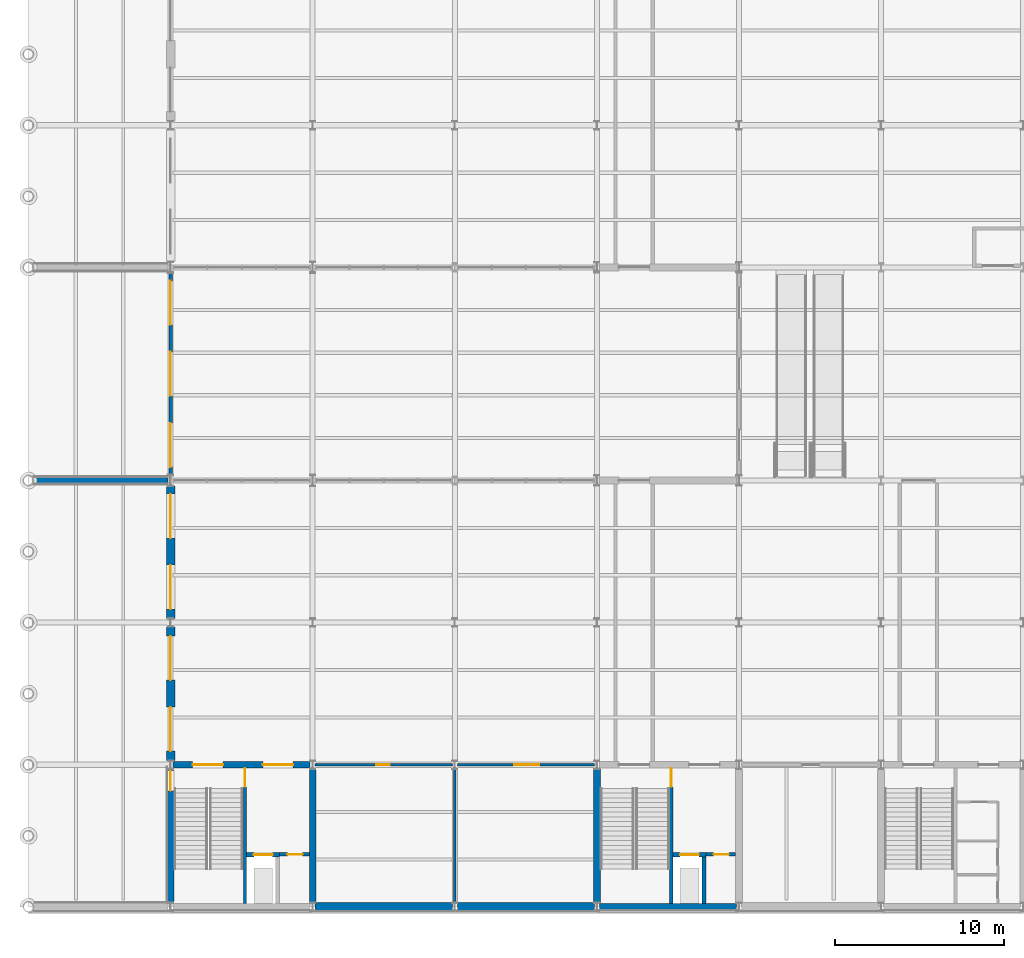
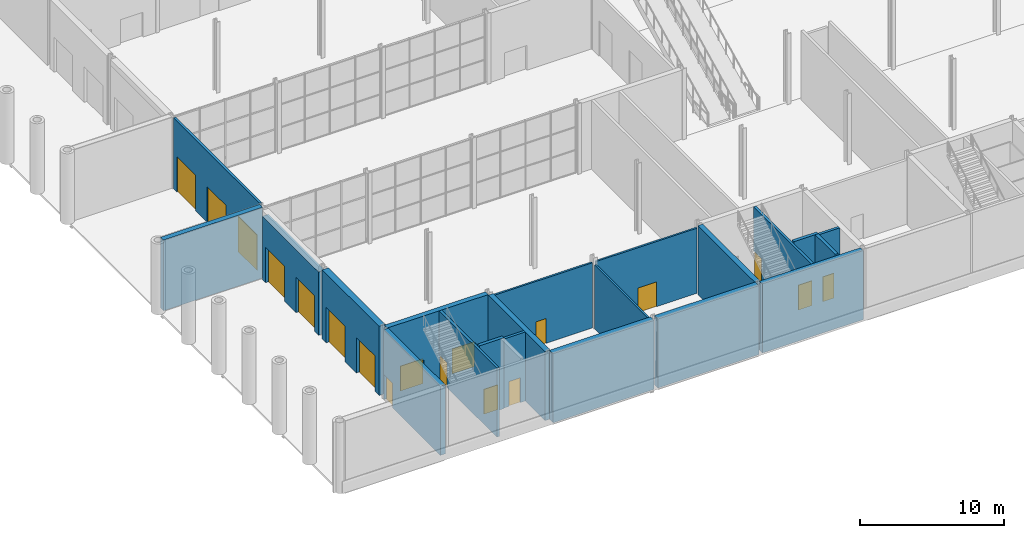
# One storey, part 30 of 55: 21 walls, 18 doors, 18 openings.
"""IFC4 building model written with IfcOpenShell, lengths in metres."""

from ifc_helpers import new_model, si_unit, direction, frame, frame_2d, origin, place, context, subcontext, project, spatial, rectangle, extrude, material, layer, layer_set, type_object, element, fill, save


model = new_model("IFC4")

# Units and contexts
model_context = context("Model", 3, precision=1e-05, world=origin(), true_north=direction((0.0, 1.0)))
body_context = subcontext(model_context, "Body", "Model", "MODEL_VIEW")
ifc_project = project(units=[si_unit("LENGTHUNIT", "METRE"), si_unit("AREAUNIT", "SQUARE_METRE"), si_unit("VOLUMEUNIT", "CUBIC_METRE"), si_unit("PLANEANGLEUNIT", "RADIAN"), si_unit("MASSUNIT", "GRAM", prefix="KILO")], contexts=[model_context])

# Site, building, storey
site_placement = place(None, origin())
site = spatial("IfcSite", under=ifc_project, at=site_placement, CompositionType="ELEMENT")
building_placement = place(site_placement, origin())
building = spatial("IfcBuilding", under=site, at=building_placement, Name="Galleria Vessillo Department Store", CompositionType="ELEMENT")
storey_placement = place(building_placement, origin())
storey = spatial("IfcBuildingStorey", under=building, at=storey_placement, Name="L00", CompositionType="ELEMENT", Elevation=0.0)

# Wall, openings, doors
ifc_material_1 = material(Name="Aluminium frame with laminated glass 44.2", Category="aluminium")
ifc_layer_1 = layer(ifc_material_1, 0.199951171875)
ifc_layer_set_1 = layer_set([ifc_layer_1], Name="Aluminium frame with laminated glass 44.2")
wall_type_1 = type_object("IfcWallType", Name="Glazed screen frame wall 200 mm", PredefinedType="STANDARD", material=ifc_layer_set_1)
wall_1_placement = place(storey_placement, frame((8.39990234375, 25.533935546875, 0.0), z_axis=(0.0, 0.0, 1.0), x_axis=(0.0, 1.0, 0.0)))
wall_1 = element("IfcWall", 1, at=wall_1_placement, inside=storey, type_object=wall_type_1, Name="Glazed screen frame wall 200 mm SCR-W-L00-01", PredefinedType="STANDARD", context=body_context, shape_type="SweptSolid", body=[
    extrude(rectangle(XDim=11.93212890625, YDim=0.199951171875, at=frame_2d((5.966064453125, 0.0))), origin(), (0.0, 0.0, 1.0), 6.0),
])
opening_1_placement = place(wall_1_placement, frame((0.466064453125, 0.0, 0.0)))
opening_1 = element("IfcOpeningElement", 2, at=opening_1_placement, cuts=wall_1, Name="Opening DS-W1", PredefinedType="OPENING", context=body_context, shape_type="SweptSolid", body=[
    extrude(rectangle(XDim=2.60009765625, YDim=3.0, at=frame_2d((1.300048828125, 1.5))), frame((0.0, 0.10986328125, 0.0), z_axis=(0.0, -1.0, 0.0), x_axis=(1.0, 0.0, 0.0)), (0.0, 0.0, 1.0), 0.219970703125),
])
opening_2_placement = place(wall_1_placement, frame((4.666015625, 0.0, 0.0)))
opening_2 = element("IfcOpeningElement", 3, at=opening_2_placement, cuts=wall_1, Name="Opening DS-W2", PredefinedType="OPENING", context=body_context, shape_type="SweptSolid", body=[
    extrude(rectangle(XDim=2.60009765625, YDim=3.0, at=frame_2d((1.300048828125, 1.5))), frame((0.0, 0.10986328125, 0.0), z_axis=(0.0, -1.0, 0.0), x_axis=(1.0, 0.0, 0.0)), (0.0, 0.0, 1.0), 0.219970703125),
])
opening_3_placement = place(wall_1_placement, frame((8.865966796875, 0.0, 0.0)))
opening_3 = element("IfcOpeningElement", 4, at=opening_3_placement, cuts=wall_1, Name="Opening DS-W3", PredefinedType="OPENING", context=body_context, shape_type="SweptSolid", body=[
    extrude(rectangle(XDim=2.60009765625, YDim=3.0, at=frame_2d((1.300048828125, 1.5))), frame((0.0, 0.10986328125, 0.0), z_axis=(0.0, -1.0, 0.0), x_axis=(1.0, 0.0, 0.0)), (0.0, 0.0, 1.0), 0.219970703125),
])
ifc_material_2 = material(Name="Aluminium frame with laminated glass 44.2", Category="aluminium")
door_type_1 = type_object("IfcDoorType", Name="Glazed double exit door 2600 x 3000", OperationType="DOUBLE_DOOR_SINGLE_SWING", PredefinedType="DOOR", material=ifc_material_2)
door_1_placement = place(opening_1_placement, origin())
door_1 = element("IfcDoor", 5, at=door_1_placement, inside=storey, type_object=door_type_1, Name="Glazed double exit door 2600 x 3000 DS-W1", OperationType="DOUBLE_DOOR_SINGLE_SWING", OverallHeight=3.0, OverallWidth=2.60009765625, PredefinedType="DOOR", context=body_context, shape_type="SweptSolid", body=[
    extrude(rectangle(XDim=2.60009765625, YDim=3.0, at=frame_2d((1.300048828125, 1.5))), frame((0.0, 0.02490234375, 0.0), z_axis=(0.0, -1.0, 0.0), x_axis=(1.0, 0.0, 0.0)), (0.0, 0.0, 1.0), 0.050048828125),
])
fill(opening_1, door_1)
door_2_placement = place(opening_2_placement, origin())
door_2 = element("IfcDoor", 6, at=door_2_placement, inside=storey, type_object=door_type_1, Name="Glazed double exit door 2600 x 3000 DS-W2", OperationType="DOUBLE_DOOR_SINGLE_SWING", OverallHeight=3.0, OverallWidth=2.60009765625, PredefinedType="DOOR", context=body_context, shape_type="SweptSolid", body=[
    extrude(rectangle(XDim=2.60009765625, YDim=3.0, at=frame_2d((1.300048828125, 1.5))), frame((0.0, 0.02490234375, 0.0), z_axis=(0.0, -1.0, 0.0), x_axis=(1.0, 0.0, 0.0)), (0.0, 0.0, 1.0), 0.050048828125),
])
fill(opening_2, door_2)
door_3_placement = place(opening_3_placement, origin())
door_3 = element("IfcDoor", 7, at=door_3_placement, inside=storey, type_object=door_type_1, Name="Glazed double exit door 2600 x 3000 DS-W3", OperationType="DOUBLE_DOOR_SINGLE_SWING", OverallHeight=3.0, OverallWidth=2.60009765625, PredefinedType="DOOR", context=body_context, shape_type="SweptSolid", body=[
    extrude(rectangle(XDim=2.60009765625, YDim=3.0, at=frame_2d((1.300048828125, 1.5))), frame((0.0, 0.02490234375, 0.0), z_axis=(0.0, -1.0, 0.0), x_axis=(1.0, 0.0, 0.0)), (0.0, 0.0, 1.0), 0.050048828125),
])
fill(opening_3, door_3)

# Wall, opening, door
ifc_material_3 = material(Name="Solid clay block masonry", Category="masonry")
ifc_layer_2 = layer(ifc_material_3, 0.25)
ifc_layer_set_2 = layer_set([ifc_layer_2], Name="Solid clay block masonry")
wall_type_2 = type_object("IfcWallType", Name="Lift shaft wall 250 mm", PredefinedType="SOLIDWALL", material=ifc_layer_set_2)
wall_2_placement = place(storey_placement, frame((12.89990234375, 3.074951171875, 0.0), z_axis=(0.0, 0.0, 1.0), x_axis=(1.0, 0.0, 0.0)))
wall_2 = element("IfcWall", 8, at=wall_2_placement, inside=storey, type_object=wall_type_2, Name="Lift shaft wall LP1 landing side L00", PredefinedType="SOLIDWALL", context=body_context, shape_type="SweptSolid", body=[
    extrude(rectangle(XDim=1.9501953125, YDim=0.25, at=frame_2d((0.97509765625, 0.0))), origin(), (0.0, 0.0, 1.0), 6.0),
])
opening_4_placement = place(wall_2_placement, frame((0.425048828125, 0.0, 0.0)))
opening_4 = element("IfcOpeningElement", 9, at=opening_4_placement, cuts=wall_2, Name="Opening LD003", PredefinedType="OPENING", context=body_context, shape_type="SweptSolid", body=[
    extrude(rectangle(XDim=1.10009765625, YDim=2.10009765625, at=frame_2d((0.550048828125, 1.050048828125))), frame((0.0, 0.135009765625, 0.0), z_axis=(0.0, -1.0, 0.0), x_axis=(1.0, 0.0, 0.0)), (0.0, 0.0, 1.0), 0.27001953125),
])
ifc_material_4 = material(Name="Stainless steel lift door panel", Category="steel")
door_type_2 = type_object("IfcDoorType", Name="Lift landing door LD110 sliding 1100 x 2100", OperationType="SLIDING_TO_LEFT", PredefinedType="DOOR", material=ifc_material_4)
door_4_placement = place(opening_4_placement, origin())
door_4 = element("IfcDoor", 10, at=door_4_placement, inside=storey, type_object=door_type_2, Name="Lift landing door LP1 L00", OperationType="SLIDING_TO_LEFT", OverallHeight=2.10009765625, OverallWidth=1.10009765625, PredefinedType="DOOR", context=body_context, shape_type="SweptSolid", body=[
    extrude(rectangle(XDim=1.10009765625, YDim=2.10009765625, at=frame_2d((0.550048828125, 1.050048828125))), frame((0.0, 0.02490234375, 0.0), z_axis=(0.0, -1.0, 0.0), x_axis=(1.0, 0.0, 0.0)), (0.0, 0.0, 1.0), 0.050048828125),
])
fill(opening_4, door_4)

wall_3_placement = place(storey_placement, frame((38.10009765625, 3.074951171875, 0.0), z_axis=(0.0, 0.0, 1.0), x_axis=(1.0, 0.0, 0.0)))
wall_3 = element("IfcWall", 11, at=wall_3_placement, inside=storey, type_object=wall_type_2, Name="Lift shaft wall LP3 landing side L00", PredefinedType="SOLIDWALL", context=body_context, shape_type="SweptSolid", body=[
    extrude(rectangle(XDim=1.949951171875, YDim=0.25, at=frame_2d((0.97509765625, 0.0))), origin(), (0.0, 0.0, 1.0), 6.0),
])
opening_5_placement = place(wall_3_placement, frame((0.4248046875, 0.0, 0.0)))
opening_5 = element("IfcOpeningElement", 12, at=opening_5_placement, cuts=wall_3, Name="Opening LD019", PredefinedType="OPENING", context=body_context, shape_type="SweptSolid", body=[
    extrude(rectangle(XDim=1.10009765625, YDim=2.10009765625, at=frame_2d((0.550048828125, 1.050048828125))), frame((0.0, 0.135009765625, 0.0), z_axis=(0.0, -1.0, 0.0), x_axis=(1.0, 0.0, 0.0)), (0.0, 0.0, 1.0), 0.27001953125),
])
door_5_placement = place(opening_5_placement, origin())
door_5 = element("IfcDoor", 13, at=door_5_placement, inside=storey, type_object=door_type_2, Name="Lift landing door LP3 L00", OperationType="SLIDING_TO_LEFT", OverallHeight=2.10009765625, OverallWidth=1.10009765625, PredefinedType="DOOR", context=body_context, shape_type="SweptSolid", body=[
    extrude(rectangle(XDim=1.10009765625, YDim=2.10009765625, at=frame_2d((0.550048828125, 1.050048828125))), frame((0.0, 0.02490234375, 0.0), z_axis=(0.0, -1.0, 0.0), x_axis=(1.0, 0.0, 0.0)), (0.0, 0.0, 1.0), 0.050048828125),
])
fill(opening_5, door_5)

# Walls
wall_4_placement = place(storey_placement, frame((39.925048828125, 0.199951171875, 0.0), z_axis=(0.0, 0.0, 1.0), x_axis=(0.0, 1.0, 0.0)))
element("IfcWall", 14, at=wall_4_placement, inside=storey, type_object=wall_type_2, Name="Lift shaft wall LP3 L00", PredefinedType="SOLIDWALL", context=body_context, shape_type="SweptSolid", body=[
    extrude(rectangle(XDim=2.75, YDim=0.25, at=frame_2d((1.375, 0.0))), origin(), (0.0, 0.0, 1.0), 6.0),
])
ifc_material_5 = material(Name="Reinforced masonry, Ceppo di Gre units 80 MPa", Category="masonry")
ifc_layer_3 = layer(ifc_material_5, 0.39990234375)
ifc_layer_set_3 = layer_set([ifc_layer_3], Name="Reinforced masonry, Ceppo di Gre units 80 MPa")
wall_type_3 = type_object("IfcWallType", Name="Load-bearing Ceppo di Gre pier wall 400 mm", PredefinedType="STANDARD", material=ifc_layer_set_3)
wall_5_placement = place(storey_placement, frame((0.304931640625, 25.199951171875, 0.0), z_axis=(0.0, 0.0, 1.0), x_axis=(1.0, 0.0, 0.0)))
element("IfcWall", 15, at=wall_5_placement, inside=storey, type_object=wall_type_3, Name="Load-bearing Ceppo di Gre pier wall 400 mm PW-S-L00-01", PredefinedType="STANDARD", context=body_context, shape_type="SweptSolid", body=[
    extrude(rectangle(XDim=7.9423828125, YDim=0.39990234375, at=frame_2d((3.97119140625, 0.0))), origin(), (0.0, 0.0, 1.0), 6.0),
])

# Wall, openings, doors
ifc_material_6 = material(Name="Reinforced masonry, limestone units 80 MPa", Category="masonry")
ifc_layer_4 = layer(ifc_material_6, 0.5)
ifc_layer_set_4 = layer_set([ifc_layer_4], Name="Reinforced masonry, limestone units 80 MPa")
wall_type_4 = type_object("IfcWallType", Name="Load-bearing limestone-faced wall 500 mm", PredefinedType="STANDARD", material=ifc_layer_set_4)
wall_6_placement = place(storey_placement, frame((8.39990234375, 8.64990234375, 0.0), z_axis=(0.0, 0.0, 1.0), x_axis=(0.0, 1.0, 0.0)))
wall_6 = element("IfcWall", 16, at=wall_6_placement, inside=storey, type_object=wall_type_4, Name="Load-bearing limestone-faced wall 500 mm LB-L00-01", PredefinedType="STANDARD", context=body_context, shape_type="SweptSolid", body=[
    extrude(rectangle(XDim=7.900146484375, YDim=0.5, at=frame_2d((3.9501953125, 0.0))), origin(), (0.0, 0.0, 1.0), 5.85009765625),
])
opening_6_placement = place(wall_6_placement, frame((0.550048828125, 0.0, 0.0)))
opening_6 = element("IfcOpeningElement", 17, at=opening_6_placement, cuts=wall_6, Name="Opening DW1", PredefinedType="OPENING", context=body_context, shape_type="SweptSolid", body=[
    extrude(rectangle(XDim=2.60009765625, YDim=3.0, at=frame_2d((1.300048828125, 1.5))), frame((0.0, 0.260009765625, 0.0), z_axis=(0.0, -1.0, 0.0), x_axis=(1.0, 0.0, 0.0)), (0.0, 0.0, 1.0), 0.52001953125),
])
opening_7_placement = place(wall_6_placement, frame((4.75, 0.0, 0.0)))
opening_7 = element("IfcOpeningElement", 18, at=opening_7_placement, cuts=wall_6, Name="Opening DW2", PredefinedType="OPENING", context=body_context, shape_type="SweptSolid", body=[
    extrude(rectangle(XDim=2.60009765625, YDim=3.0, at=frame_2d((1.300048828125, 1.5))), frame((0.0, 0.260009765625, 0.0), z_axis=(0.0, -1.0, 0.0), x_axis=(1.0, 0.0, 0.0)), (0.0, 0.0, 1.0), 0.52001953125),
])
door_6_placement = place(opening_6_placement, origin())
door_6 = element("IfcDoor", 19, at=door_6_placement, inside=storey, type_object=door_type_1, Name="Glazed double exit door 2600 x 3000 DW1", OperationType="DOUBLE_DOOR_SINGLE_SWING", OverallHeight=3.0, OverallWidth=2.60009765625, PredefinedType="DOOR", context=body_context, shape_type="SweptSolid", body=[
    extrude(rectangle(XDim=2.60009765625, YDim=3.0, at=frame_2d((1.300048828125, 1.5))), frame((0.0, 0.02490234375, 0.0), z_axis=(0.0, -1.0, 0.0), x_axis=(1.0, 0.0, 0.0)), (0.0, 0.0, 1.0), 0.050048828125),
])
fill(opening_6, door_6)
door_7_placement = place(opening_7_placement, origin())
door_7 = element("IfcDoor", 20, at=door_7_placement, inside=storey, type_object=door_type_1, Name="Glazed double exit door 2600 x 3000 DW2", OperationType="DOUBLE_DOOR_SINGLE_SWING", OverallHeight=3.0, OverallWidth=2.60009765625, PredefinedType="DOOR", context=body_context, shape_type="SweptSolid", body=[
    extrude(rectangle(XDim=2.60009765625, YDim=3.0, at=frame_2d((1.300048828125, 1.5))), frame((0.0, 0.02490234375, 0.0), z_axis=(0.0, -1.0, 0.0), x_axis=(1.0, 0.0, 0.0)), (0.0, 0.0, 1.0), 0.050048828125),
])
fill(opening_7, door_7)

wall_7_placement = place(storey_placement, frame((8.39990234375, 17.050048828125, 0.0), z_axis=(0.0, 0.0, 1.0), x_axis=(0.0, 1.0, 0.0)))
wall_7 = element("IfcWall", 21, at=wall_7_placement, inside=storey, type_object=wall_type_4, Name="Load-bearing limestone-faced wall 500 mm LB-L00-02", PredefinedType="STANDARD", context=body_context, shape_type="SweptSolid", body=[
    extrude(rectangle(XDim=7.81591796875, YDim=0.5, at=frame_2d((3.907958984375, 0.0))), origin(), (0.0, 0.0, 1.0), 5.35986328125),
])
opening_8_placement = place(wall_7_placement, frame((0.550048828125, 0.0, 0.0)))
opening_8 = element("IfcOpeningElement", 22, at=opening_8_placement, cuts=wall_7, Name="Opening DW3", PredefinedType="OPENING", context=body_context, shape_type="SweptSolid", body=[
    extrude(rectangle(XDim=2.60009765625, YDim=3.0, at=frame_2d((1.300048828125, 1.5))), frame((0.0, 0.260009765625, 0.0), z_axis=(0.0, -1.0, 0.0), x_axis=(1.0, 0.0, 0.0)), (0.0, 0.0, 1.0), 0.52001953125),
])
opening_9_placement = place(wall_7_placement, frame((4.75, 0.0, 0.0)))
opening_9 = element("IfcOpeningElement", 23, at=opening_9_placement, cuts=wall_7, Name="Opening DW4", PredefinedType="OPENING", context=body_context, shape_type="SweptSolid", body=[
    extrude(rectangle(XDim=2.60009765625, YDim=3.0, at=frame_2d((1.300048828125, 1.5))), frame((0.0, 0.260009765625, 0.0), z_axis=(0.0, -1.0, 0.0), x_axis=(1.0, 0.0, 0.0)), (0.0, 0.0, 1.0), 0.52001953125),
])
door_8_placement = place(opening_8_placement, origin())
door_8 = element("IfcDoor", 24, at=door_8_placement, inside=storey, type_object=door_type_1, Name="Glazed double exit door 2600 x 3000 DW3", OperationType="DOUBLE_DOOR_SINGLE_SWING", OverallHeight=3.0, OverallWidth=2.60009765625, PredefinedType="DOOR", context=body_context, shape_type="SweptSolid", body=[
    extrude(rectangle(XDim=2.60009765625, YDim=3.0, at=frame_2d((1.300048828125, 1.5))), frame((0.0, 0.02490234375, 0.0), z_axis=(0.0, -1.0, 0.0), x_axis=(1.0, 0.0, 0.0)), (0.0, 0.0, 1.0), 0.050048828125),
])
fill(opening_8, door_8)
door_9_placement = place(opening_9_placement, origin())
door_9 = element("IfcDoor", 25, at=door_9_placement, inside=storey, type_object=door_type_1, Name="Glazed double exit door 2600 x 3000 DW4", OperationType="DOUBLE_DOOR_SINGLE_SWING", OverallHeight=3.0, OverallWidth=2.60009765625, PredefinedType="DOOR", context=body_context, shape_type="SweptSolid", body=[
    extrude(rectangle(XDim=2.60009765625, YDim=3.0, at=frame_2d((1.300048828125, 1.5))), frame((0.0, 0.02490234375, 0.0), z_axis=(0.0, -1.0, 0.0), x_axis=(1.0, 0.0, 0.0)), (0.0, 0.0, 1.0), 0.050048828125),
])
fill(opening_9, door_9)

ifc_material_7 = material(Name="Concrete C32/40 reinforced", Category="concrete")
ifc_layer_5 = layer(ifc_material_7, 0.39990234375)
ifc_layer_set_5 = layer_set([ifc_layer_5], Name="Concrete C32/40 reinforced")
wall_type_5 = type_object("IfcWallType", Name="Reinforced concrete core wall 400 mm", PredefinedType="SHEAR", material=ifc_layer_set_5)
wall_8_placement = place(storey_placement, frame((8.5498046875, 8.39990234375, 0.0), z_axis=(0.0, 0.0, 1.0), x_axis=(1.0, 0.0, 0.0)))
wall_8 = element("IfcWall", 26, at=wall_8_placement, inside=storey, type_object=wall_type_5, Name="S-CW-PC-SW-INTERIOR-L00", PredefinedType="SHEAR", context=body_context, shape_type="SweptSolid", body=[
    extrude(rectangle(XDim=8.100341796875, YDim=0.39990234375, at=frame_2d((4.05029296875, 0.0))), origin(), (0.0, 0.0, 1.0), 5.85009765625),
])
opening_10_placement = place(wall_8_placement, frame((1.150146484375, 0.0, 0.0)))
opening_10 = element("IfcOpeningElement", 27, at=opening_10_placement, cuts=wall_8, Name="Opening D5011", PredefinedType="OPENING", context=body_context, shape_type="SweptSolid", body=[
    extrude(rectangle(XDim=1.800048828125, YDim=2.10009765625, at=frame_2d((0.89990234375, 1.050048828125))), frame((0.0, 0.2099609375, 0.0), z_axis=(0.0, -1.0, 0.0), x_axis=(1.0, 0.0, 0.0)), (0.0, 0.0, 1.0), 0.419921875),
])
opening_11_placement = place(wall_8_placement, frame((5.300048828125, 0.0, 0.0)))
opening_11 = element("IfcOpeningElement", 28, at=opening_11_placement, cuts=wall_8, Name="Opening D5012", PredefinedType="OPENING", context=body_context, shape_type="SweptSolid", body=[
    extrude(rectangle(XDim=1.800048828125, YDim=2.10009765625, at=frame_2d((0.89990234375, 1.050048828125))), frame((0.0, 0.2099609375, 0.0), z_axis=(0.0, -1.0, 0.0), x_axis=(1.0, 0.0, 0.0)), (0.0, 0.0, 1.0), 0.419921875),
])
ifc_material_8 = material(Name="Fire-rated steel door leaf", Category="steel")
door_type_3 = type_object("IfcDoorType", Name="Door D180F double leaf 1800 x 2100", OperationType="DOUBLE_DOOR_SINGLE_SWING", PredefinedType="DOOR", material=ifc_material_8)
door_10_placement = place(opening_10_placement, origin())
door_10 = element("IfcDoor", 29, at=door_10_placement, inside=storey, type_object=door_type_3, Name="Lobby door PC-SW-ST-FLOOR L00", OperationType="DOUBLE_DOOR_SINGLE_SWING", OverallHeight=2.10009765625, OverallWidth=1.800048828125, PredefinedType="DOOR", context=body_context, shape_type="SweptSolid", body=[
    extrude(rectangle(XDim=1.800048828125, YDim=2.10009765625, at=frame_2d((0.89990234375, 1.050048828125))), frame((0.0, 0.02490234375, 0.0), z_axis=(0.0, -1.0, 0.0), x_axis=(1.0, 0.0, 0.0)), (0.0, 0.0, 1.0), 0.050048828125),
])
fill(opening_10, door_10)
door_11_placement = place(opening_11_placement, frame((1.800048828125, 0.0, 0.0), z_axis=(0.0, 0.0, 1.0), x_axis=(-1.0, 0.0, 0.0)))
door_11 = element("IfcDoor", 30, at=door_11_placement, inside=storey, type_object=door_type_3, Name="Lobby door PC-SW-LOBBY-FLOOR L00", OperationType="DOUBLE_DOOR_SINGLE_SWING", OverallHeight=2.10009765625, OverallWidth=1.800048828125, PredefinedType="DOOR", context=body_context, shape_type="SweptSolid", body=[
    extrude(rectangle(XDim=1.800048828125, YDim=2.10009765625, at=frame_2d((0.89990234375, 1.050048828125))), frame((0.0, 0.02490234375, 0.0), z_axis=(0.0, -1.0, 0.0), x_axis=(1.0, 0.0, 0.0)), (0.0, 0.0, 1.0), 0.050048828125),
])
fill(opening_11, door_11)

# Walls
for number, where, z_axis, x_axis, name in (
    (31, (16.800048828125, 0.25, 0.0), (0.0, 0.0, 1.0), (0.0, 1.0, 0.0), "S-CW-PC-SW-EAST-L00"),
    (32, (33.60009765625, 0.25, 0.0), (0.0, 0.0, 1.0), (0.0, 1.0, 0.0), "S-CW-PC-SM-WEST-L00"),
):
    element("IfcWall", number, at=place(storey_placement, frame(where, z_axis=z_axis, x_axis=x_axis)), inside=storey, type_object=wall_type_5, Name=name, PredefinedType="SHEAR", context=body_context, shape_type="SweptSolid", body=[
        extrude(rectangle(XDim=7.89990234375, YDim=0.39990234375, at=frame_2d((3.949951171875, 0.0))), origin(), (0.0, 0.0, 1.0), 5.85009765625),
    ])

# Wall, opening, door
ifc_material_9 = material(Name="Concrete C32/40 reinforced", Category="concrete")
ifc_layer_6 = layer(ifc_material_9, 0.39990234375)
ifc_layer_set_6 = layer_set([ifc_layer_6], Name="Concrete C32/40 reinforced")
wall_type_6 = type_object("IfcWallType", Name="Reinforced concrete core wall 400 mm, external", PredefinedType="SHEAR", material=ifc_layer_set_6)
wall_9_placement = place(storey_placement, frame((8.39990234375, 0.25, 0.0), z_axis=(0.0, 0.0, 1.0), x_axis=(0.0, 1.0, 0.0)))
wall_9 = element("IfcWall", 33, at=wall_9_placement, inside=storey, type_object=wall_type_6, Name="S-CW-PC-SW-WEST-L00", PredefinedType="SHEAR", context=body_context, shape_type="SweptSolid", body=[
    extrude(rectangle(XDim=7.89990234375, YDim=0.39990234375, at=frame_2d((3.949951171875, 0.0))), origin(), (0.0, 0.0, 1.0), 5.85009765625),
])
opening_12_placement = place(wall_9_placement, frame((6.599853515625, 0.0, 0.0)))
opening_12 = element("IfcOpeningElement", 34, at=opening_12_placement, cuts=wall_9, Name="Opening D5341", PredefinedType="OPENING", context=body_context, shape_type="SweptSolid", body=[
    extrude(rectangle(XDim=1.199951171875, YDim=2.10009765625, at=frame_2d((0.60009765625, 1.050048828125))), frame((0.0, 0.2099609375, 0.0), z_axis=(0.0, -1.0, 0.0), x_axis=(1.0, 0.0, 0.0)), (0.0, 0.0, 1.0), 0.419921875),
])
ifc_material_10 = material(Name="Fire-rated steel door leaf", Category="steel")
door_type_4 = type_object("IfcDoorType", Name="Door D120F fire door 1200 x 2100", OperationType="SINGLE_SWING_LEFT", PredefinedType="DOOR", material=ifc_material_10)
door_12_placement = place(opening_12_placement, origin())
door_12 = element("IfcDoor", 35, at=door_12_placement, inside=storey, type_object=door_type_4, Name="Stair exit door X-ST1", OperationType="SINGLE_SWING_RIGHT", OverallHeight=2.10009765625, OverallWidth=1.199951171875, PredefinedType="DOOR", context=body_context, shape_type="SweptSolid", body=[
    extrude(rectangle(XDim=1.199951171875, YDim=2.10009765625, at=frame_2d((0.60009765625, 1.050048828125))), frame((0.0, 0.02490234375, 0.0), z_axis=(0.0, -1.0, 0.0), x_axis=(1.0, 0.0, 0.0)), (0.0, 0.0, 1.0), 0.050048828125),
])
fill(opening_12, door_12)

# Walls
wall_10_placement = place(storey_placement, frame((33.75, 0.0, 0.0), z_axis=(0.0, 0.0, 1.0), x_axis=(1.0, 0.0, 0.0)))
element("IfcWall", 36, at=wall_10_placement, inside=storey, type_object=wall_type_6, Name="S-CW-PC-SM-PARTY-L00", PredefinedType="SHEAR", context=body_context, shape_type="SweptSolid", body=[
    extrude(rectangle(XDim=8.10009765625, YDim=0.39990234375, at=frame_2d((4.050048828125, 0.0))), origin(), (0.0, 0.0, 1.0), 5.85009765625),
])
ifc_material_11 = material(Name="Concrete C32/40 reinforced", Category="concrete")
ifc_layer_7 = layer(ifc_material_11, 0.5)
ifc_layer_set_7 = layer_set([ifc_layer_7], Name="Concrete C32/40 reinforced")
wall_type_7 = type_object("IfcWallType", Name="Reinforced concrete party wall 500 mm", PredefinedType="SHEAR", material=ifc_layer_set_7)
wall_11_placement = place(storey_placement, frame((16.949951171875, 0.0, 0.0), z_axis=(0.0, 0.0, 1.0), x_axis=(1.0, 0.0, 0.0)))
element("IfcWall", 37, at=wall_11_placement, inside=storey, type_object=wall_type_7, Name="S-PS-L00-02", PredefinedType="SHEAR", context=body_context, shape_type="SweptSolid", body=[
    extrude(rectangle(XDim=8.10009765625, YDim=0.5, at=frame_2d((4.050048828125, 0.0))), origin(), (0.0, 0.0, 1.0), 5.85009765625),
])
wall_12_placement = place(storey_placement, frame((25.349853515625, 0.0, 0.0), z_axis=(0.0, 0.0, 1.0), x_axis=(1.0, 0.0, 0.0)))
element("IfcWall", 38, at=wall_12_placement, inside=storey, type_object=wall_type_7, Name="S-PS-L00-03", PredefinedType="SHEAR", context=body_context, shape_type="SweptSolid", body=[
    extrude(rectangle(XDim=8.100341796875, YDim=0.5, at=frame_2d((4.05029296875, 0.0))), origin(), (0.0, 0.0, 1.0), 5.85009765625),
])

# Wall, opening, door
ifc_material_12 = material(Name="Concrete C32/40 reinforced", Category="concrete")
ifc_layer_8 = layer(ifc_material_12, 0.199951171875)
ifc_layer_set_8 = layer_set([ifc_layer_8], Name="Concrete C32/40 reinforced")
wall_type_8 = type_object("IfcWallType", Name="Reinforced concrete stair enclosure wall 200 mm", PredefinedType="SHEAR", material=ifc_layer_set_8)
wall_13_placement = place(storey_placement, frame((12.7998046875, 0.199951171875, 0.0), z_axis=(0.0, 0.0, 1.0), x_axis=(0.0, 1.0, 0.0)))
wall_13 = element("IfcWall", 39, at=wall_13_placement, inside=storey, type_object=wall_type_8, Name="Stair enclosure wall PC-SW L00", PredefinedType="SHEAR", context=body_context, shape_type="SweptSolid", body=[
    extrude(rectangle(XDim=8.0, YDim=0.199951171875, at=frame_2d((4.0, 0.0))), origin(), (0.0, 0.0, 1.0), 5.85009765625),
])
opening_13_placement = place(wall_13_placement, frame((6.89990234375, 0.0, 0.0)))
opening_13 = element("IfcOpeningElement", 40, at=opening_13_placement, cuts=wall_13, Name="Opening D5009", PredefinedType="OPENING", context=body_context, shape_type="SweptSolid", body=[
    extrude(rectangle(XDim=1.11009765625, YDim=2.10009765625, at=frame_2d((0.554931640625, 1.050048828125))), frame((0.0, 0.10986328125, 0.0), z_axis=(0.0, -1.0, 0.0), x_axis=(1.0, 0.0, 0.0)), (0.0, 0.0, 1.0), 0.219970703125),
])
ifc_material_13 = material(Name="Fire-rated steel door leaf", Category="steel")
door_type_5 = type_object("IfcDoorType", Name="Door D110F stair door 1100 x 2100", OperationType="SINGLE_SWING_LEFT", PredefinedType="DOOR", material=ifc_material_13)
door_13_placement = place(opening_13_placement, frame((1.10009765625, 0.0, 0.0), z_axis=(0.0, 0.0, 1.0), x_axis=(-1.0, 0.0, 0.0)))
door_13 = element("IfcDoor", 41, at=door_13_placement, inside=storey, type_object=door_type_5, Name="Stair door PC-SW-ST-LOBBY L00", OperationType="SINGLE_SWING_LEFT", OverallHeight=2.10009765625, OverallWidth=1.10009765625, PredefinedType="DOOR", context=body_context, shape_type="SweptSolid", body=[
    extrude(rectangle(XDim=1.10009765625, YDim=2.10009765625, at=frame_2d((0.550048828125, 1.050048828125))), frame((0.0, 0.02490234375, 0.0), z_axis=(0.0, -1.0, 0.0), x_axis=(1.0, 0.0, 0.0)), (0.0, 0.0, 1.0), 0.050048828125),
])
fill(opening_13, door_13)

wall_14_placement = place(storey_placement, frame((38.0, 0.199951171875, 0.0), z_axis=(0.0, 0.0, 1.0), x_axis=(0.0, 1.0, 0.0)))
wall_14 = element("IfcWall", 42, at=wall_14_placement, inside=storey, type_object=wall_type_8, Name="Stair enclosure wall PC-SM L00", PredefinedType="SHEAR", context=body_context, shape_type="SweptSolid", body=[
    extrude(rectangle(XDim=8.0, YDim=0.199951171875, at=frame_2d((4.0, 0.0))), origin(), (0.0, 0.0, 1.0), 5.85009765625),
])
opening_14_placement = place(wall_14_placement, frame((6.89990234375, 0.0, 0.0)))
opening_14 = element("IfcOpeningElement", 43, at=opening_14_placement, cuts=wall_14, Name="Opening D5073", PredefinedType="OPENING", context=body_context, shape_type="SweptSolid", body=[
    extrude(rectangle(XDim=1.11009765625, YDim=2.10009765625, at=frame_2d((0.554931640625, 1.050048828125))), frame((0.0, 0.10986328125, 0.0), z_axis=(0.0, -1.0, 0.0), x_axis=(1.0, 0.0, 0.0)), (0.0, 0.0, 1.0), 0.219970703125),
])
door_14_placement = place(opening_14_placement, frame((1.10009765625, 0.0, 0.0), z_axis=(0.0, 0.0, 1.0), x_axis=(-1.0, 0.0, 0.0)))
door_14 = element("IfcDoor", 44, at=door_14_placement, inside=storey, type_object=door_type_5, Name="Stair door PC-SM-ST-LOBBY L00", OperationType="SINGLE_SWING_LEFT", OverallHeight=2.10009765625, OverallWidth=1.10009765625, PredefinedType="DOOR", context=body_context, shape_type="SweptSolid", body=[
    extrude(rectangle(XDim=1.10009765625, YDim=2.10009765625, at=frame_2d((0.550048828125, 1.050048828125))), frame((0.0, 0.02490234375, 0.0), z_axis=(0.0, -1.0, 0.0), x_axis=(1.0, 0.0, 0.0)), (0.0, 0.0, 1.0), 0.050048828125),
])
fill(opening_14, door_14)

ifc_material_14 = material(Name="Hollow clay block masonry", Category="masonry")
ifc_layer_9 = layer(ifc_material_14, 0.199951171875)
ifc_layer_set_9 = layer_set([ifc_layer_9], Name="Hollow clay block masonry")
wall_type_9 = type_object("IfcWallType", Name="Riser and service room wall 200 mm", PredefinedType="PARTITIONING", material=ifc_layer_set_9)
wall_15_placement = place(storey_placement, frame((14.85009765625, 3.099853515625, 0.0), z_axis=(0.0, 0.0, 1.0), x_axis=(1.0, 0.0, 0.0)))
wall_15 = element("IfcWall", 45, at=wall_15_placement, inside=storey, type_object=wall_type_9, Name="Riser wall PC-SW-RISER L00", PredefinedType="PARTITIONING", context=body_context, shape_type="SweptSolid", body=[
    extrude(rectangle(XDim=1.75, YDim=0.199951171875, at=frame_2d((0.875, 0.0))), origin(), (0.0, 0.0, 1.0), 5.85009765625),
])
opening_15_placement = place(wall_15_placement, frame((0.449951171875, 0.0, 0.0)))
opening_15 = element("IfcOpeningElement", 46, at=opening_15_placement, cuts=wall_15, Name="Opening D5010", PredefinedType="OPENING", context=body_context, shape_type="SweptSolid", body=[
    extrude(rectangle(XDim=0.89990234375, YDim=2.10009765625, at=frame_2d((0.449951171875, 1.050048828125))), frame((0.0, 0.10986328125, 0.0), z_axis=(0.0, -1.0, 0.0), x_axis=(1.0, 0.0, 0.0)), (0.0, 0.0, 1.0), 0.219970703125),
])
ifc_material_15 = material(Name="Fire-rated steel door leaf", Category="steel")
door_type_6 = type_object("IfcDoorType", Name="Door DR90 riser access 900 x 2100", OperationType="SINGLE_SWING_LEFT", PredefinedType="DOOR", material=ifc_material_15)
door_15_placement = place(opening_15_placement, frame((0.89990234375, 0.0, 0.0), z_axis=(0.0, 0.0, 1.0), x_axis=(-1.0, 0.0, 0.0)))
door_15 = element("IfcDoor", 47, at=door_15_placement, inside=storey, type_object=door_type_6, Name="Riser door PC-SW-RISER-D L00", OperationType="SINGLE_SWING_LEFT", OverallHeight=2.10009765625, OverallWidth=0.89990234375, PredefinedType="DOOR", context=body_context, shape_type="SweptSolid", body=[
    extrude(rectangle(XDim=0.89990234375, YDim=2.10009765625, at=frame_2d((0.449951171875, 1.050048828125))), frame((0.0, 0.02490234375, 0.0), z_axis=(0.0, -1.0, 0.0), x_axis=(1.0, 0.0, 0.0)), (0.0, 0.0, 1.0), 0.050048828125),
])
fill(opening_15, door_15)

wall_16_placement = place(storey_placement, frame((40.050048828125, 3.099853515625, 0.0), z_axis=(0.0, 0.0, 1.0), x_axis=(1.0, 0.0, 0.0)))
wall_16 = element("IfcWall", 48, at=wall_16_placement, inside=storey, type_object=wall_type_9, Name="Riser wall PC-SM-RISER L00", PredefinedType="PARTITIONING", context=body_context, shape_type="SweptSolid", body=[
    extrude(rectangle(XDim=1.75, YDim=0.199951171875, at=frame_2d((0.875, 0.0))), origin(), (0.0, 0.0, 1.0), 5.85009765625),
])
opening_16_placement = place(wall_16_placement, frame((0.449951171875, 0.0, 0.0)))
opening_16 = element("IfcOpeningElement", 49, at=opening_16_placement, cuts=wall_16, Name="Opening D5074", PredefinedType="OPENING", context=body_context, shape_type="SweptSolid", body=[
    extrude(rectangle(XDim=0.89990234375, YDim=2.10009765625, at=frame_2d((0.449951171875, 1.050048828125))), frame((0.0, 0.10986328125, 0.0), z_axis=(0.0, -1.0, 0.0), x_axis=(1.0, 0.0, 0.0)), (0.0, 0.0, 1.0), 0.219970703125),
])
door_16_placement = place(opening_16_placement, frame((0.89990234375, 0.0, 0.0), z_axis=(0.0, 0.0, 1.0), x_axis=(-1.0, 0.0, 0.0)))
door_16 = element("IfcDoor", 50, at=door_16_placement, inside=storey, type_object=door_type_6, Name="Riser door PC-SM-RISER-D L00", OperationType="SINGLE_SWING_LEFT", OverallHeight=2.10009765625, OverallWidth=0.89990234375, PredefinedType="DOOR", context=body_context, shape_type="SweptSolid", body=[
    extrude(rectangle(XDim=0.89990234375, YDim=2.10009765625, at=frame_2d((0.449951171875, 1.050048828125))), frame((0.0, 0.02490234375, 0.0), z_axis=(0.0, -1.0, 0.0), x_axis=(1.0, 0.0, 0.0)), (0.0, 0.0, 1.0), 0.050048828125),
])
fill(opening_16, door_16)

# Wall
ifc_material_16 = material(Name="Concrete blockwork", Category="masonry")
ifc_layer_10 = layer(ifc_material_16, 0.14990234375)
ifc_layer_set_10 = layer_set([ifc_layer_10], Name="Concrete blockwork")
wall_type_10 = type_object("IfcWallType", Name="Stockroom blockwork wall 150 mm", PredefinedType="SOLIDWALL", material=ifc_layer_set_10)
wall_17_placement = place(storey_placement, frame((25.199951171875, 0.25, 0.0), z_axis=(0.0, 0.0, 1.0), x_axis=(0.0, 1.0, 0.0)))
element("IfcWall", 51, at=wall_17_placement, inside=storey, type_object=wall_type_10, Name="Partition wall PT4 on L00 no. 019", PredefinedType="SOLIDWALL", context=body_context, shape_type="SweptSolid", body=[
    extrude(rectangle(XDim=7.89990234375, YDim=0.14990234375, at=frame_2d((3.949951171875, 0.0))), origin(), (0.0, 0.0, 1.0), 5.41015625),
])

# Wall, opening, door
wall_18_placement = place(storey_placement, frame((16.949951171875, 8.39990234375, 0.0), z_axis=(0.0, 0.0, 1.0), x_axis=(1.0, 0.0, 0.0)))
wall_18 = element("IfcWall", 52, at=wall_18_placement, inside=storey, type_object=wall_type_10, Name="Partition wall PT4 on L00 no. 020", PredefinedType="SOLIDWALL", context=body_context, shape_type="SweptSolid", body=[
    extrude(rectangle(XDim=8.10009765625, YDim=0.14990234375, at=frame_2d((4.050048828125, 0.0))), origin(), (0.0, 0.0, 1.0), 5.52001953125),
])
opening_17_placement = place(wall_18_placement, frame((3.60009765625, 0.0, 0.0)))
opening_17 = element("IfcOpeningElement", 53, at=opening_17_placement, cuts=wall_18, Name="Opening D2210", PredefinedType="OPENING", context=body_context, shape_type="SweptSolid", body=[
    extrude(rectangle(XDim=0.800048828125, YDim=2.10009765625, at=frame_2d((0.39990234375, 1.050048828125))), frame((0.0, 0.0849609375, 0.0), z_axis=(0.0, -1.0, 0.0), x_axis=(1.0, 0.0, 0.0)), (0.0, 0.0, 1.0), 0.169921875),
])
ifc_material_17 = material(Name="Steel fire door leaf", Category="steel")
door_type_7 = type_object("IfcDoorType", Name="Fire door 800 staff door", OperationType="SINGLE_SWING_LEFT", PredefinedType="DOOR", material=ifc_material_17)
door_17_placement = place(opening_17_placement, frame((0.800048828125, 0.0, 0.0), z_axis=(0.0, 0.0, 1.0), x_axis=(-1.0, 0.0, 0.0)))
door_17 = element("IfcDoor", 54, at=door_17_placement, inside=storey, type_object=door_type_7, Name="Door D2210", OperationType="SINGLE_SWING_RIGHT", OverallHeight=2.10009765625, OverallWidth=0.800048828125, PredefinedType="DOOR", context=body_context, shape_type="SweptSolid", body=[
    extrude(rectangle(XDim=0.800048828125, YDim=2.10009765625, at=frame_2d((0.39990234375, 1.050048828125))), frame((0.0, 0.02490234375, 0.0), z_axis=(0.0, -1.0, 0.0), x_axis=(1.0, 0.0, 0.0)), (0.0, 0.0, 1.0), 0.050048828125),
])
fill(opening_17, door_17)

wall_19_placement = place(storey_placement, frame((25.349853515625, 8.39990234375, 0.0), z_axis=(0.0, 0.0, 1.0), x_axis=(1.0, 0.0, 0.0)))
wall_19 = element("IfcWall", 55, at=wall_19_placement, inside=storey, type_object=wall_type_10, Name="Partition wall PT4 on L00 no. 021", PredefinedType="SOLIDWALL", context=body_context, shape_type="SweptSolid", body=[
    extrude(rectangle(XDim=8.100341796875, YDim=0.14990234375, at=frame_2d((4.05029296875, 0.0))), origin(), (0.0, 0.0, 1.0), 5.52001953125),
])
opening_18_placement = place(wall_19_placement, frame((3.35009765625, 0.0, 0.0)))
opening_18 = element("IfcOpeningElement", 56, at=opening_18_placement, cuts=wall_19, Name="Opening D2211", PredefinedType="OPENING", context=body_context, shape_type="SweptSolid", body=[
    extrude(rectangle(XDim=1.5, YDim=2.10009765625, at=frame_2d((0.75, 1.050048828125))), frame((0.0, 0.0849609375, 0.0), z_axis=(0.0, -1.0, 0.0), x_axis=(1.0, 0.0, 0.0)), (0.0, 0.0, 1.0), 0.169921875),
])
ifc_material_18 = material(Name="Steel fire door leaf", Category="steel")
door_type_8 = type_object("IfcDoorType", Name="Stockroom fire door 1500 double leaf", OperationType="DOUBLE_DOOR_SINGLE_SWING", PredefinedType="DOOR", material=ifc_material_18)
door_18_placement = place(opening_18_placement, frame((1.5, 0.0, 0.0), z_axis=(0.0, 0.0, 1.0), x_axis=(-1.0, 0.0, 0.0)))
door_18 = element("IfcDoor", 57, at=door_18_placement, inside=storey, type_object=door_type_8, Name="Door D2211", OperationType="DOUBLE_DOOR_SINGLE_SWING", OverallHeight=2.10009765625, OverallWidth=1.5, PredefinedType="DOOR", context=body_context, shape_type="SweptSolid", body=[
    extrude(rectangle(XDim=1.5, YDim=2.10009765625, at=frame_2d((0.75, 1.050048828125))), frame((0.0, 0.02490234375, 0.0), z_axis=(0.0, -1.0, 0.0), x_axis=(1.0, 0.0, 0.0)), (0.0, 0.0, 1.0), 0.050048828125),
])
fill(opening_18, door_18)

save(model, "model.ifc")
